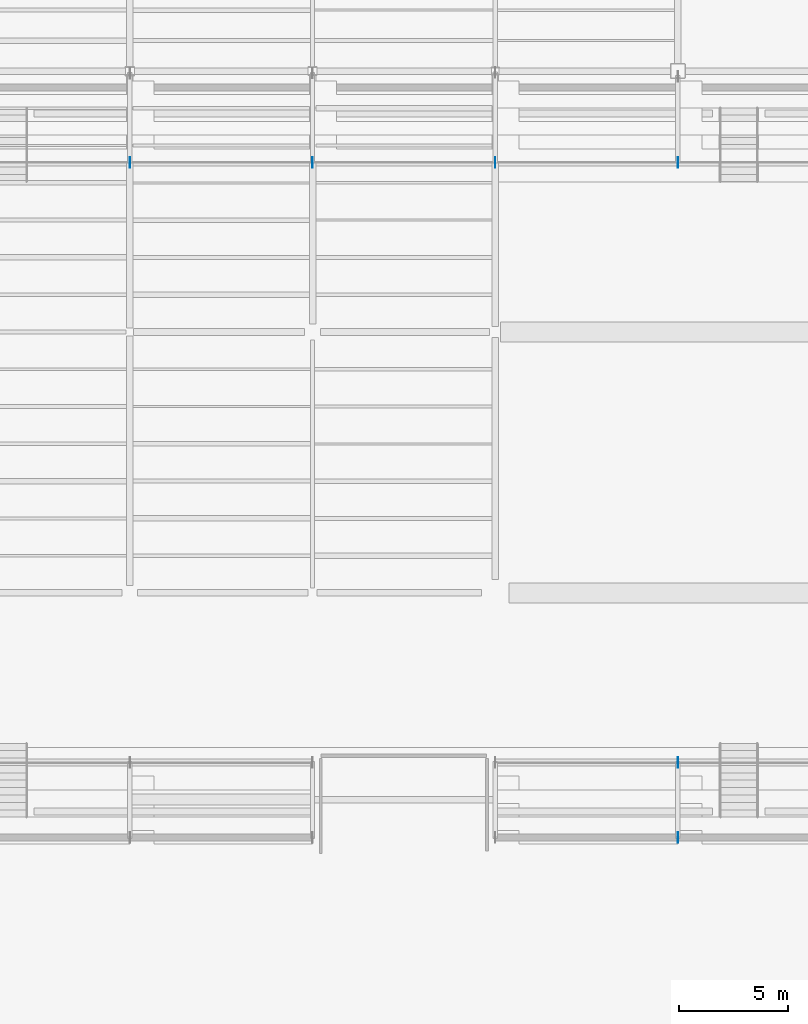
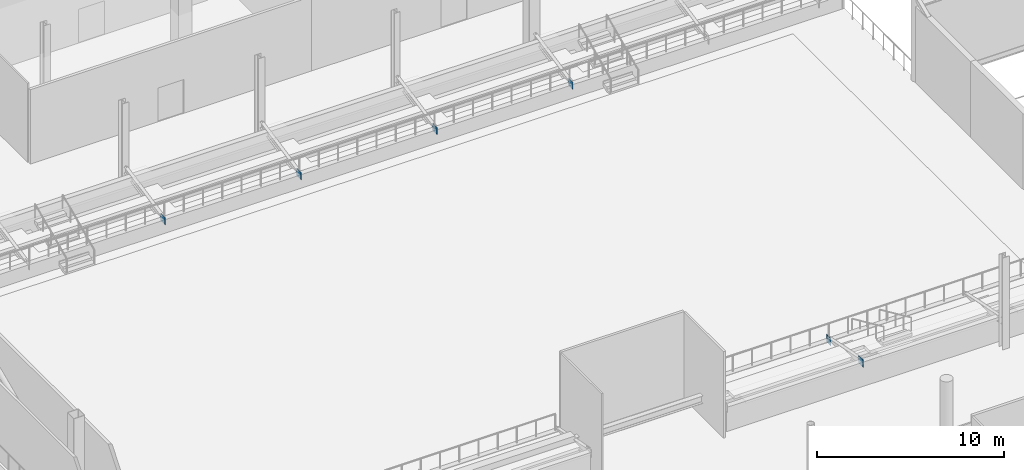
# One storey, part 88 of 135: 6 plates.
"""IFC4 building model written with IfcOpenShell, lengths in metres."""

import ifcopenshell
import ifcopenshell.guid

model = None  # the IFC model being written
_history = None  # IfcOwnerHistory: only IFC2X3 demands one
_inside = {}  # id of a spatial element -> (the spatial element, [elements in it])
_under = {}  # id of a project, library or spatial element -> (it, [spatial elements below it])
_declared = {}  # id of a project -> (the project, [libraries it declares])
_typed = {}  # id of a type object -> (the type object, [elements of that type])
_made_of = {}  # id of a material, layer set ... -> (it, [elements and type objects made of it])


def new_model(schema):
    """Start an empty IFC model of exactly this schema.

    Asked for "IFC4X3", IfcOpenShell would pick the latest addendum, in which some entities
    have other attributes; the version numbers below select the first issue.
    IFC2X3 requires an IfcOwnerHistory on every rooted entity: one is made here for all.
    """
    global model, _history
    if schema == "IFC4X3":
        model = ifcopenshell.file(schema_version=(4, 3, 0, 0))
    else:
        model = ifcopenshell.file(schema=schema)
    _inside.clear()
    _under.clear()
    _declared.clear()
    _typed.clear()
    _made_of.clear()
    _history = None
    if model.schema == "IFC2X3":
        org = make("IfcOrganization", Name="unknown")
        user = make(
            "IfcPersonAndOrganization",
            ThePerson=make("IfcPerson", FamilyName="unknown"),
            TheOrganization=org,
        )
        app = make(
            "IfcApplication",
            ApplicationDeveloper=org,
            Version="unknown",
            ApplicationFullName="unknown",
            ApplicationIdentifier="unknown",
        )
        _history = make(
            "IfcOwnerHistory",
            OwningUser=user,
            OwningApplication=app,
            ChangeAction="ADDED",
            CreationDate=0,
        )
    return model


def make(cls, **values):
    """One entity of the class cls with the attributes given. An attribute that is None is left unset."""
    return model.create_entity(
        cls, **{name: value for name, value in values.items() if value is not None}
    )


def rooted(cls, **values):
    """An entity with a GlobalId (a new one), such as an element, a storey or a relation."""
    return make(cls, GlobalId=ifcopenshell.guid.new(), OwnerHistory=_history, **values)


def si_unit(unit_type, name, prefix=None):
    """IfcSIUnit, for example si_unit("LENGTHUNIT", "METRE", prefix="MILLI")."""
    return make("IfcSIUnit", UnitType=unit_type, Prefix=prefix, Name=name)


def assignment(units):
    """IfcUnitAssignment: the units of a project."""
    return None if units is None else make("IfcUnitAssignment", Units=units)


def point(xyz):
    """IfcCartesianPoint."""
    return None if xyz is None else make("IfcCartesianPoint", Coordinates=xyz)


def direction(xyz):
    """IfcDirection."""
    return None if xyz is None else make("IfcDirection", DirectionRatios=xyz)


def frame(location, z_axis=None, x_axis=None):
    """IfcAxis2Placement3D, a coordinate frame: its origin and axes. An axis left out is left unset."""
    return make(
        "IfcAxis2Placement3D",
        Location=point(location),
        Axis=direction(z_axis),
        RefDirection=direction(x_axis),
    )


def frame_2d(location, x_axis=None):
    """IfcAxis2Placement2D, a coordinate frame in the plane: its origin and x axis."""
    return make(
        "IfcAxis2Placement2D", Location=point(location), RefDirection=direction(x_axis)
    )


def origin():
    """The frame at (0, 0, 0) with its axes left unset."""
    return frame((0.0, 0.0, 0.0))


def origin_2d():
    """The frame at (0, 0) in the plane with its x axis left unset."""
    return frame_2d((0.0, 0.0))


def place(relative_to, where):
    """IfcLocalPlacement: puts the frame where relative to a parent placement (None: the world)."""
    return make(
        "IfcLocalPlacement", PlacementRelTo=relative_to, RelativePlacement=where
    )


def context(
    kind, dimensions, precision=None, world=None, true_north=None, identifier=None
):
    """IfcGeometricRepresentationContext, for example the 3D "Model" context."""
    return make(
        "IfcGeometricRepresentationContext",
        ContextIdentifier=identifier,
        ContextType=kind,
        CoordinateSpaceDimension=dimensions,
        Precision=precision,
        WorldCoordinateSystem=world,
        TrueNorth=true_north,
    )


def subcontext(parent, identifier, kind, view, scale=None):
    """IfcGeometricRepresentationSubContext, for example "Body" below "Model"."""
    return make(
        "IfcGeometricRepresentationSubContext",
        ContextIdentifier=identifier,
        ContextType=kind,
        ParentContext=parent,
        TargetScale=scale,
        TargetView=view,
    )


def project(units=None, contexts=None):
    """IfcProject with its units and contexts."""
    return rooted(
        "IfcProject",
        Name="project",
        RepresentationContexts=contexts,
        UnitsInContext=assignment(units),
    )


def spatial(cls, under=None, at=None, **own):
    """A site, building, storey or space (cls), placed at a placement, below another one or the project."""
    s = rooted(cls, ObjectPlacement=at, **own)
    if under is not None:
        _under.setdefault(under.id(), (under, []))[1].append(s)
    return s


def profile(cls, at=None, kind="AREA", **sizes):
    """A parametric profile (cls). Its sizes go by their IFC names, for example OverallWidth=200.0."""
    return make(cls, ProfileType=kind, Position=at, **sizes)


def rectangle(**sizes):
    """IfcRectangleProfileDef."""
    return profile("IfcRectangleProfileDef", **sizes)


def extrude(swept, where, along, depth):
    """IfcExtrudedAreaSolid: the profile swept, set in the frame where, extruded along a direction by depth."""
    return make(
        "IfcExtrudedAreaSolid",
        SweptArea=swept,
        Position=where,
        ExtrudedDirection=direction(along),
        Depth=depth,
    )


def shape(context_of_items, identifier, shape_type, items):
    """IfcShapeRepresentation: the items that make up one representation, for example the "Body"."""
    return make(
        "IfcShapeRepresentation",
        ContextOfItems=context_of_items,
        RepresentationIdentifier=identifier,
        RepresentationType=shape_type,
        Items=items,
    )


def material(Name=None, Category=None):
    """IfcMaterial."""
    return make("IfcMaterial", Name=Name, Category=Category)


def layer(
    of_material, thickness, ventilated=None, Name=None, Category=None, Priority=None
):
    """IfcMaterialLayer: one layer of a wall or slab, of a material (None: an air gap)."""
    return make(
        "IfcMaterialLayer",
        Material=of_material,
        LayerThickness=thickness,
        IsVentilated=ventilated,
        Name=Name,
        Category=Category,
        Priority=Priority,
    )


def layer_set(layers, Name=None):
    """IfcMaterialLayerSet."""
    return make("IfcMaterialLayerSet", MaterialLayers=layers, LayerSetName=Name)


def made_of(thing, what):
    """Note that an element or type object is made of a material, layer set ...; save() writes the relation."""
    if what is not None:
        _made_of.setdefault(what.id(), (what, []))[1].append(thing)
    return thing


def type_object(cls, material=None, **own):
    """A type object (cls), such as IfcWallType, which elements share."""
    return made_of(rooted(cls, **own), material)


def element(
    cls,
    number,
    at=None,
    inside=None,
    cuts=None,
    type_object=None,
    material=None,
    context=None,
    identifier="Body",
    shape_type=None,
    held_by="IfcProductDefinitionShape",
    body=None,
    shapes=None,
    **own,
):
    """One element of the class cls, such as IfcWall. Its Tag is "e" and its number.

    at: its placement. inside: the storey or other place that contains it. cuts: it is an
    opening in that element (IfcRelVoidsElement). A single representation is given by context,
    identifier, shape_type and body (its items); several are given by shapes. held_by: the class
    of the entity that holds the representations. save() writes the other relations.
    """
    e = rooted(cls, Tag="e%d" % number, ObjectPlacement=at, **own)
    if body is not None:
        shapes = [shape(context, identifier, shape_type, body)]
    if shapes is not None:
        e.Representation = make(held_by, Representations=shapes)
    if inside is not None:
        _inside.setdefault(inside.id(), (inside, []))[1].append(e)
    if cuts is not None:
        rooted(
            "IfcRelVoidsElement", RelatingBuildingElement=cuts, RelatedOpeningElement=e
        )
    if type_object is not None:
        _typed.setdefault(type_object.id(), (type_object, []))[1].append(e)
    return made_of(e, material)


def aggregate(whole, parts):
    """IfcRelAggregates: a whole, such as a stair, and the parts it consists of."""
    return rooted("IfcRelAggregates", RelatingObject=whole, RelatedObjects=parts)


def save(model, path):
    """Write the relations noted so far, then the file.

    IfcRelAggregates (storeys below a building ...), IfcRelContainedInSpatialStructure (elements
    in a storey), IfcRelDefinesByType, IfcRelAssociatesMaterial and IfcRelDeclares: one each for
    every whole, place, type object, material and project.
    """
    for whole, parts in _under.values():
        aggregate(whole, parts)
    for where, things in _inside.values():
        rooted(
            "IfcRelContainedInSpatialStructure",
            RelatedElements=things,
            RelatingStructure=where,
        )
    for kind, things in _typed.values():
        rooted("IfcRelDefinesByType", RelatedObjects=things, RelatingType=kind)
    for what, things in _made_of.values():
        rooted("IfcRelAssociatesMaterial", RelatedObjects=things, RelatingMaterial=what)
    for by, libraries in _declared.values():
        rooted("IfcRelDeclares", RelatingContext=by, RelatedDefinitions=libraries)
    model.write(path)


model = new_model("IFC4")

# Units and contexts
model_context = context("Model", 3, precision=1e-05, world=origin(), true_north=direction((0.0, 1.0)))
body_context = subcontext(model_context, "Body", "Model", "MODEL_VIEW")
ifc_project = project(units=[si_unit("LENGTHUNIT", "METRE"), si_unit("AREAUNIT", "SQUARE_METRE"), si_unit("VOLUMEUNIT", "CUBIC_METRE"), si_unit("PLANEANGLEUNIT", "RADIAN"), si_unit("MASSUNIT", "GRAM", prefix="KILO")], contexts=[model_context])

# Site, building, storey
site_placement = place(None, origin())
site = spatial("IfcSite", under=ifc_project, at=site_placement, CompositionType="ELEMENT")
building_placement = place(site_placement, origin())
building = spatial("IfcBuilding", under=site, at=building_placement, Name="Larkvane Passage Sports Hall", CompositionType="ELEMENT")
storey_placement = place(building_placement, frame((0.0, 0.0, 10.800048828125)))
storey = spatial("IfcBuildingStorey", under=building, at=storey_placement, Name="L02", CompositionType="ELEMENT", Elevation=10.800048828125)

# Plates
ifc_material = material(Name="Steel S460N", Category="steel")
ifc_layer = layer(ifc_material, 0.01611328125)
ifc_layer_set = layer_set([ifc_layer], Name="Steel S460N")
plate_type = type_object("IfcPlateType", Name="PLT-GUS-16", PredefinedType="USERDEFINED", material=ifc_layer_set)
for number, where, z_axis, x_axis, name in (
    (1, (51.60009765625, 71.39990234375, 0.60986328125), (0.0, 0.0, 1.0), (0.0, 1.0, 0.0), "Brace connection gusset plate 0053"),
    (2, (60.0, 71.39990234375, 0.60986328125), (0.0, 0.0, 1.0), (0.0, 1.0, 0.0), "Brace connection gusset plate 0057"),
    (3, (68.39990234375, 71.39990234375, 0.60986328125), (0.0, 0.0, 1.0), (0.0, 1.0, 0.0), "Brace connection gusset plate 0061"),
    (4, (76.800048828125, 43.800048828125, 0.60986328125), (0.0, 0.0, 1.0), (0.0, -1.0, 0.0), "Brace connection gusset plate 0063"),
    (5, (76.800048828125, 40.35009765625, 1.31005859375), (0.0, 0.0, 1.0), (0.0, -1.0, 0.0), "Brace connection gusset plate 0064"),
    (6, (76.800048828125, 71.39990234375, 0.60986328125), (0.0, 0.0, 1.0), (0.0, 1.0, 0.0), "Brace connection gusset plate 0065"),
):
    element("IfcPlate", number, at=place(storey_placement, frame(where, z_axis=z_axis, x_axis=x_axis)), inside=storey, type_object=plate_type, Name=name, ObjectType="GUSSET PLATE", PredefinedType="USERDEFINED", context=body_context, shape_type="SweptSolid", body=[
        extrude(rectangle(XDim=0.47998046875, YDim=0.01611328125, at=origin_2d()), origin(), (0.0, 0.0, 1.0), 0.47998046875),
    ])

save(model, "model.ifc")
